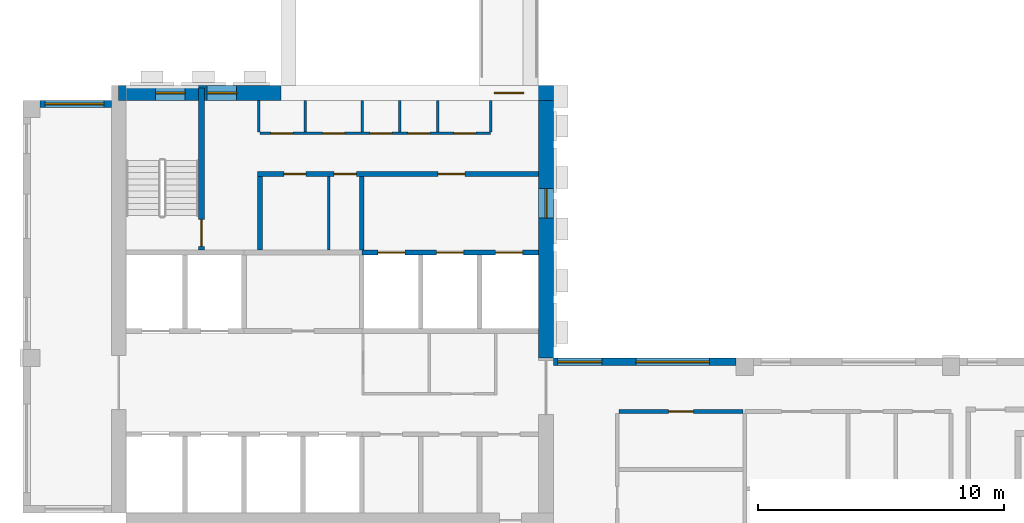
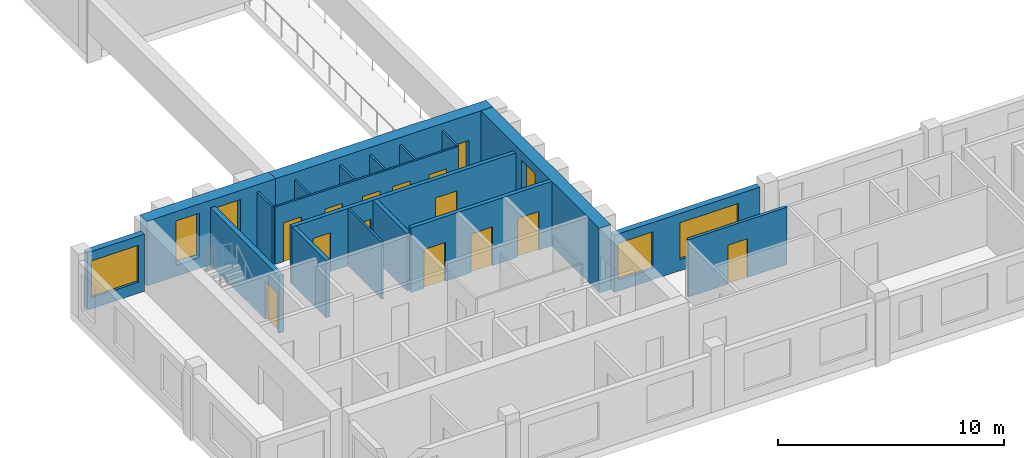
# One storey, part 3 of 9: 19 walls, 14 doors, 6 windows, 20 openings.
"""IFC4 building model written with IfcOpenShell, lengths in metres."""

from ifc_helpers import new_model, si_unit, direction, frame, frame_2d, origin, place, context, subcontext, project, spatial, rectangle, extrude, source, transform, mapped, material, layer, layer_set, type_object, element, fill, save


model = new_model("IFC4")

# Units and contexts
model_context = context("Model", 3, precision=1e-05, world=origin(), true_north=direction((0.0, 1.0)))
body_context = subcontext(model_context, "Body", "Model", "MODEL_VIEW")
ifc_project = project(units=[si_unit("LENGTHUNIT", "METRE"), si_unit("AREAUNIT", "SQUARE_METRE"), si_unit("VOLUMEUNIT", "CUBIC_METRE"), si_unit("PLANEANGLEUNIT", "RADIAN"), si_unit("MASSUNIT", "GRAM", prefix="KILO")], contexts=[model_context])

# Site, building, storey
site_placement = place(None, origin())
site = spatial("IfcSite", under=ifc_project, at=site_placement, CompositionType="ELEMENT")
building_placement = place(site_placement, origin())
building = spatial("IfcBuilding", under=site, at=building_placement, Name="Aurelian Terraces", CompositionType="ELEMENT")
storey_placement = place(building_placement, frame((0.0, 0.0, 323.0)))
storey = spatial("IfcBuildingStorey", under=building, at=storey_placement, Name="L75", CompositionType="ELEMENT", Elevation=323.0)

# Wall, opening, door
ifc_material_1 = material(Name="Concrete fc' 55 MPa", Category="concrete")
ifc_layer_1 = layer(ifc_material_1, 0.6)
ifc_layer_set_1 = layer_set([ifc_layer_1], Name="CORE WALL 600 FC55")
wall_type_1 = type_object("IfcWallType", Name="CORE WALL 600 FC55", PredefinedType="SHEAR", material=ifc_layer_set_1)
shared_shape_1 = source(origin(), body_context, "Body", "SweptSolid", [
    extrude(rectangle(XDim=11.1, YDim=0.6, at=frame_2d((5.55, 0.0))), origin(), (0.0, 0.0, 1.0), 3.5),
])
wall_1_placement = place(storey_placement, frame((10.5, 21.3, 0.0), z_axis=(0.0, 0.0, 1.0), x_axis=(1.0, 0.0, 0.0)))
wall_1 = element("IfcWall", 1, at=wall_1_placement, inside=storey, type_object=wall_type_1, Name="Core wall N L75", PredefinedType="SHEAR", context=body_context, shape_type="MappedRepresentation", body=[
    mapped(shared_shape_1, transform((0.0, 0.0, 0.0), scale=1.0)),
])
shared_shape_2 = source(origin(), body_context, "Body", "SweptSolid", [
    extrude(rectangle(XDim=1.2, YDim=2.1, at=frame_2d((0.6, 1.05))), frame((0.0, 0.31, 0.0), z_axis=(0.0, -1.0, 0.0), x_axis=(1.0, 0.0, 0.0)), (0.0, 0.0, 1.0), 0.62),
])
opening_1_placement = place(wall_1_placement, frame((8.7, 0.0, 0.0)))
opening_1 = element("IfcOpeningElement", 2, at=opening_1_placement, cuts=wall_1, Name="Opening 67832", PredefinedType="OPENING", context=body_context, shape_type="MappedRepresentation", body=[
    mapped(shared_shape_2, transform((0.0, 0.0, 0.0), scale=1.0)),
])
ifc_material_2 = material(Name="Steel door leaf", Category="steel")
door_type_1 = type_object("IfcDoorType", Name="Core fire door 1200x2100", OperationType="SINGLE_SWING_LEFT", PredefinedType="DOOR", material=ifc_material_2)
shared_shape_3 = source(origin(), body_context, "Body", "SweptSolid", [
    extrude(rectangle(XDim=1.2, YDim=2.1, at=frame_2d((0.6, 1.05))), frame((0.0, 0.025, 0.0), z_axis=(0.0, -1.0, 0.0), x_axis=(1.0, 0.0, 0.0)), (0.0, 0.0, 1.0), 0.05),
])
door_1_placement = place(opening_1_placement, origin())
door_1 = element("IfcDoor", 3, at=door_1_placement, inside=storey, type_object=door_type_1, Name="Core door 67832", OperationType="SINGLE_SWING_LEFT", OverallHeight=2.1, OverallWidth=1.2, PredefinedType="DOOR", context=body_context, shape_type="MappedRepresentation", body=[
    mapped(shared_shape_3, transform((0.0, 0.0, 0.0), scale=1.0)),
])
fill(opening_1, door_1)

# Wall, opening, window
shared_shape_4 = source(origin(), body_context, "Body", "SweptSolid", [
    extrude(rectangle(XDim=10.5, YDim=0.6, at=frame_2d((5.25, 0.0))), origin(), (0.0, 0.0, 1.0), 3.5),
])
wall_2_placement = place(storey_placement, frame((21.3, 10.5, 0.0), z_axis=(0.0, 0.0, 1.0), x_axis=(0.0, 1.0, 0.0)))
wall_2 = element("IfcWall", 4, at=wall_2_placement, inside=storey, type_object=wall_type_1, Name="Core wall E L75 exposed", PredefinedType="SHEAR", context=body_context, shape_type="MappedRepresentation", body=[
    mapped(shared_shape_4, transform((0.0, 0.0, 0.0), scale=1.0)),
])
shared_shape_5 = source(origin(), body_context, "Body", "SweptSolid", [
    extrude(rectangle(XDim=1.2, YDim=2.4, at=frame_2d((0.6, 1.2))), frame((0.0, 0.31, 0.0), z_axis=(0.0, -1.0, 0.0), x_axis=(1.0, 0.0, 0.0)), (0.0, 0.0, 1.0), 0.62),
])
opening_2_placement = place(wall_2_placement, frame((5.7, 0.0, 0.6)))
opening_2 = element("IfcOpeningElement", 5, at=opening_2_placement, cuts=wall_2, Name="Opening W-CL", PredefinedType="OPENING", context=body_context, shape_type="MappedRepresentation", body=[
    mapped(shared_shape_5, transform((0.0, 0.0, 0.0), scale=1.0)),
])
ifc_material_3 = material(Name="Fire-resisting glazing", Category="glass")
window_type_1 = type_object("IfcWindowType", Name="Core lobby window 1200x2400", PartitioningType="SINGLE_PANEL", PredefinedType="WINDOW", material=ifc_material_3)
shared_shape_6 = source(origin(), body_context, "Body", "SweptSolid", [
    extrude(rectangle(XDim=1.2, YDim=2.4, at=frame_2d((0.6, 1.2))), frame((0.0, 0.03, 0.0), z_axis=(0.0, -1.0, 0.0), x_axis=(1.0, 0.0, 0.0)), (0.0, 0.0, 1.0), 0.06),
])
window_1_placement = place(opening_2_placement, origin())
window_1 = element("IfcWindow", 6, at=window_1_placement, inside=storey, type_object=window_type_1, Name="Lobby window L75 E34", OverallHeight=2.4, OverallWidth=1.2, PartitioningType="SINGLE_PANEL", PredefinedType="WINDOW", context=body_context, shape_type="MappedRepresentation", body=[
    mapped(shared_shape_6, transform((0.0, 0.0, 0.0), scale=1.0)),
])
fill(opening_2, window_1)

# Wall, openings, windows
shared_shape_7 = source(origin(), body_context, "Body", "SweptSolid", [
    extrude(rectangle(XDim=6.6, YDim=0.6, at=frame_2d((3.3, 0.0))), origin(), (0.0, 0.0, 1.0), 3.5),
])
wall_3_placement = place(storey_placement, frame((3.9, 21.3, 0.0), z_axis=(0.0, 0.0, 1.0), x_axis=(1.0, 0.0, 0.0)))
wall_3 = element("IfcWall", 7, at=wall_3_placement, inside=storey, type_object=wall_type_1, Name="Core wall N L75 exposed", PredefinedType="SHEAR", context=body_context, shape_type="MappedRepresentation", body=[
    mapped(shared_shape_7, transform((0.0, 0.0, 0.0), scale=1.0)),
])
opening_3_placement = place(wall_3_placement, frame((1.5, 0.0, 0.6)))
opening_3 = element("IfcOpeningElement", 8, at=opening_3_placement, cuts=wall_3, Name="Opening W-CL", PredefinedType="OPENING", context=body_context, shape_type="MappedRepresentation", body=[
    mapped(shared_shape_5, transform((0.0, 0.0, 0.0), scale=1.0)),
])
opening_4_placement = place(wall_3_placement, frame((3.6, 0.0, 0.6)))
opening_4 = element("IfcOpeningElement", 9, at=opening_4_placement, cuts=wall_3, Name="Opening W-CL", PredefinedType="OPENING", context=body_context, shape_type="MappedRepresentation", body=[
    mapped(shared_shape_5, transform((0.0, 0.0, 0.0), scale=1.0)),
])
window_2_placement = place(opening_3_placement, origin())
window_2 = element("IfcWindow", 10, at=window_2_placement, inside=storey, type_object=window_type_1, Name="Lobby window L75 N35", OverallHeight=2.4, OverallWidth=1.2, PartitioningType="SINGLE_PANEL", PredefinedType="WINDOW", context=body_context, shape_type="MappedRepresentation", body=[
    mapped(shared_shape_6, transform((0.0, 0.0, 0.0), scale=1.0)),
])
fill(opening_3, window_2)
window_3_placement = place(opening_4_placement, origin())
window_3 = element("IfcWindow", 11, at=window_3_placement, inside=storey, type_object=window_type_1, Name="Lobby window L75 N36", OverallHeight=2.4, OverallWidth=1.2, PartitioningType="SINGLE_PANEL", PredefinedType="WINDOW", context=body_context, shape_type="MappedRepresentation", body=[
    mapped(shared_shape_6, transform((0.0, 0.0, 0.0), scale=1.0)),
])
fill(opening_4, window_3)

ifc_material_4 = material(Name="Terracotta rainscreen cladding", Category="masonry")
ifc_layer_2 = layer(ifc_material_4, 0.3)
ifc_layer_set_2 = layer_set([ifc_layer_2], Name="EW-300")
wall_type_2 = type_object("IfcWallType", Name="EW-300", PredefinedType="STANDARD", material=ifc_layer_set_2)
shared_shape_8 = source(origin(), body_context, "Body", "SweptSolid", [
    extrude(rectangle(XDim=7.45, YDim=0.3, at=frame_2d((3.725, 0.0))), origin(), (0.0, 0.0, 1.0), 3.1),
])
wall_4_placement = place(storey_placement, frame((29.05, 10.35, 0.0), z_axis=(0.0, 0.0, 1.0), x_axis=(-1.0, 0.0, 0.0)))
wall_4 = element("IfcWall", 12, at=wall_4_placement, inside=storey, type_object=wall_type_2, Name="External wall L75 F03.8", PredefinedType="STANDARD", context=body_context, shape_type="MappedRepresentation", body=[
    mapped(shared_shape_8, transform((0.0, 0.0, 0.0), scale=1.0)),
])
shared_shape_9 = source(origin(), body_context, "Body", "SweptSolid", [
    extrude(rectangle(XDim=3.0, YDim=2.0, at=frame_2d((1.5, 1.0))), frame((0.0, 0.16, 0.0), z_axis=(0.0, -1.0, 0.0), x_axis=(1.0, 0.0, 0.0)), (0.0, 0.0, 1.0), 0.32),
])
opening_5_placement = place(wall_4_placement, frame((1.09, 0.0, 0.6)))
opening_5 = element("IfcOpeningElement", 13, at=opening_5_placement, cuts=wall_4, Name="Opening W3020", PredefinedType="OPENING", context=body_context, shape_type="MappedRepresentation", body=[
    mapped(shared_shape_9, transform((0.0, 0.0, 0.0), scale=1.0)),
])
shared_shape_10 = source(origin(), body_context, "Body", "SweptSolid", [
    extrude(rectangle(XDim=1.8, YDim=2.0, at=frame_2d((0.9, 1.0))), frame((0.0, 0.16, 0.0), z_axis=(0.0, -1.0, 0.0), x_axis=(1.0, 0.0, 0.0)), (0.0, 0.0, 1.0), 0.32),
])
opening_6_placement = place(wall_4_placement, frame((5.47, 0.0, 0.6)))
opening_6 = element("IfcOpeningElement", 14, at=opening_6_placement, cuts=wall_4, Name="Opening W1820", PredefinedType="OPENING", context=body_context, shape_type="MappedRepresentation", body=[
    mapped(shared_shape_10, transform((0.0, 0.0, 0.0), scale=1.0)),
])
ifc_material_5 = material(Name="Clear glazing", Category="glass")
window_type_2 = type_object("IfcWindowType", Name="W-3000x2000", PartitioningType="SINGLE_PANEL", PredefinedType="WINDOW", material=ifc_material_5)
shared_shape_11 = source(origin(), body_context, "Body", "SweptSolid", [
    extrude(rectangle(XDim=3.0, YDim=2.0, at=frame_2d((1.5, 1.0))), frame((0.0, 0.03, 0.0), z_axis=(0.0, -1.0, 0.0), x_axis=(1.0, 0.0, 0.0)), (0.0, 0.0, 1.0), 0.06),
])
window_4_placement = place(opening_5_placement, origin())
window_4 = element("IfcWindow", 15, at=window_4_placement, inside=storey, type_object=window_type_2, Name="Window L75 L75-F03-08-5", OverallHeight=2.0, OverallWidth=3.0, PartitioningType="SINGLE_PANEL", PredefinedType="WINDOW", context=body_context, shape_type="MappedRepresentation", body=[
    mapped(shared_shape_11, transform((0.0, 0.0, 0.0), scale=1.0)),
])
fill(opening_5, window_4)
window_type_3 = type_object("IfcWindowType", Name="W-1800x2000", PartitioningType="SINGLE_PANEL", PredefinedType="WINDOW", material=ifc_material_5)
shared_shape_12 = source(origin(), body_context, "Body", "SweptSolid", [
    extrude(rectangle(XDim=1.8, YDim=2.0, at=frame_2d((0.9, 1.0))), frame((0.0, 0.03, 0.0), z_axis=(0.0, -1.0, 0.0), x_axis=(1.0, 0.0, 0.0)), (0.0, 0.0, 1.0), 0.06),
])
window_5_placement = place(opening_6_placement, origin())
window_5 = element("IfcWindow", 16, at=window_5_placement, inside=storey, type_object=window_type_3, Name="Window L75 L75-F03-08-6", OverallHeight=2.0, OverallWidth=1.8, PartitioningType="SINGLE_PANEL", PredefinedType="WINDOW", context=body_context, shape_type="MappedRepresentation", body=[
    mapped(shared_shape_12, transform((0.0, 0.0, 0.0), scale=1.0)),
])
fill(opening_6, window_5)

# Wall, opening, window
shared_shape_13 = source(origin(), body_context, "Body", "SweptSolid", [
    extrude(rectangle(XDim=2.9, YDim=0.3, at=frame_2d((1.45, 0.0))), origin(), (0.0, 0.0, 1.0), 3.1),
])
wall_5_placement = place(storey_placement, frame((3.6, 20.85, 0.0), z_axis=(0.0, 0.0, 1.0), x_axis=(-1.0, 0.0, 0.0)))
wall_5 = element("IfcWall", 17, at=wall_5_placement, inside=storey, type_object=wall_type_2, Name="External wall L75 F11.17", PredefinedType="STANDARD", context=body_context, shape_type="MappedRepresentation", body=[
    mapped(shared_shape_13, transform((0.0, 0.0, 0.0), scale=1.0)),
])
shared_shape_14 = source(origin(), body_context, "Body", "SweptSolid", [
    extrude(rectangle(XDim=2.4, YDim=2.0, at=frame_2d((1.2, 1.0))), frame((0.0, 0.16, 0.0), z_axis=(0.0, -1.0, 0.0), x_axis=(1.0, 0.0, 0.0)), (0.0, 0.0, 1.0), 0.32),
])
opening_7_placement = place(wall_5_placement, frame((0.3, 0.0, 0.6)))
opening_7 = element("IfcOpeningElement", 18, at=opening_7_placement, cuts=wall_5, Name="Opening W2420", PredefinedType="OPENING", context=body_context, shape_type="MappedRepresentation", body=[
    mapped(shared_shape_14, transform((0.0, 0.0, 0.0), scale=1.0)),
])
window_type_4 = type_object("IfcWindowType", Name="W-2400x2000", PartitioningType="SINGLE_PANEL", PredefinedType="WINDOW", material=ifc_material_5)
shared_shape_15 = source(origin(), body_context, "Body", "SweptSolid", [
    extrude(rectangle(XDim=2.4, YDim=2.0, at=frame_2d((1.2, 1.0))), frame((0.0, 0.03, 0.0), z_axis=(0.0, -1.0, 0.0), x_axis=(1.0, 0.0, 0.0)), (0.0, 0.0, 1.0), 0.06),
])
window_6_placement = place(opening_7_placement, origin())
window_6 = element("IfcWindow", 19, at=window_6_placement, inside=storey, type_object=window_type_4, Name="Window L75 L75-F11-17-0", OverallHeight=2.0, OverallWidth=2.4, PartitioningType="SINGLE_PANEL", PredefinedType="WINDOW", context=body_context, shape_type="MappedRepresentation", body=[
    mapped(shared_shape_15, transform((0.0, 0.0, 0.0), scale=1.0)),
])
fill(opening_7, window_6)

# Wall, openings, doors
ifc_material_6 = material(Name="Concrete fc' 40 MPa", Category="concrete")
ifc_layer_3 = layer(ifc_material_6, 0.2)
ifc_layer_set_3 = layer_set([ifc_layer_3], Name="Lift shaft wall 200")
wall_type_3 = type_object("IfcWallType", Name="Lift shaft wall 200", PredefinedType="SOLIDWALL", material=ifc_layer_set_3)
shared_shape_16 = source(origin(), body_context, "Body", "SweptSolid", [
    extrude(rectangle(XDim=7.2, YDim=0.2, at=frame_2d((3.6, 0.0))), origin(), (0.0, 0.0, 1.0), 3.5),
])
wall_6_placement = place(storey_placement, frame((13.8, 14.8, 0.0), z_axis=(0.0, 0.0, 1.0), x_axis=(1.0, 0.0, 0.0)))
wall_6 = element("IfcWall", 20, at=wall_6_placement, inside=storey, type_object=wall_type_3, Name="L75 core wall CF-BB3", PredefinedType="SOLIDWALL", context=body_context, shape_type="MappedRepresentation", body=[
    mapped(shared_shape_16, transform((0.0, 0.0, 0.0), scale=1.0)),
])
shared_shape_17 = source(origin(), body_context, "Body", "SweptSolid", [
    extrude(rectangle(XDim=1.1, YDim=2.1, at=frame_2d((0.55, 1.05))), frame((0.0, 0.11, 0.0), z_axis=(0.0, -1.0, 0.0), x_axis=(1.0, 0.0, 0.0)), (0.0, 0.0, 1.0), 0.22),
])
opening_8_placement = place(wall_6_placement, frame((0.65, 0.0, 0.0)))
opening_8 = element("IfcOpeningElement", 21, at=opening_8_placement, cuts=wall_6, Name="Opening 67810", PredefinedType="OPENING", context=body_context, shape_type="MappedRepresentation", body=[
    mapped(shared_shape_17, transform((0.0, 0.0, 0.0), scale=1.0)),
])
opening_9_placement = place(wall_6_placement, frame((3.05, 0.0, 0.0)))
opening_9 = element("IfcOpeningElement", 22, at=opening_9_placement, cuts=wall_6, Name="Opening 67811", PredefinedType="OPENING", context=body_context, shape_type="MappedRepresentation", body=[
    mapped(shared_shape_17, transform((0.0, 0.0, 0.0), scale=1.0)),
])
opening_10_placement = place(wall_6_placement, frame((5.45, 0.0, 0.0)))
opening_10 = element("IfcOpeningElement", 23, at=opening_10_placement, cuts=wall_6, Name="Opening 67812", PredefinedType="OPENING", context=body_context, shape_type="MappedRepresentation", body=[
    mapped(shared_shape_17, transform((0.0, 0.0, 0.0), scale=1.0)),
])
ifc_material_7 = material(Name="Stainless steel", Category="steel")
door_type_2 = type_object("IfcDoorType", Name="Lift landing door 1100x2100", OperationType="SLIDING_TO_LEFT", PredefinedType="DOOR", material=ifc_material_7)
shared_shape_18 = source(origin(), body_context, "Body", "SweptSolid", [
    extrude(rectangle(XDim=1.1, YDim=2.1, at=frame_2d((0.55, 1.05))), frame((0.0, 0.025, 0.0), z_axis=(0.0, -1.0, 0.0), x_axis=(1.0, 0.0, 0.0)), (0.0, 0.0, 1.0), 0.05),
])
door_2_placement = place(opening_8_placement, origin())
door_2 = element("IfcDoor", 24, at=door_2_placement, inside=storey, type_object=door_type_2, Name="Lift landing door F1 L75", OperationType="SLIDING_TO_LEFT", OverallHeight=2.1, OverallWidth=1.1, PredefinedType="DOOR", context=body_context, shape_type="MappedRepresentation", body=[
    mapped(shared_shape_18, transform((0.0, 0.0, 0.0), scale=1.0)),
])
fill(opening_8, door_2)
door_3_placement = place(opening_9_placement, origin())
door_3 = element("IfcDoor", 25, at=door_3_placement, inside=storey, type_object=door_type_2, Name="Lift landing door F2 L75", OperationType="SLIDING_TO_LEFT", OverallHeight=2.1, OverallWidth=1.1, PredefinedType="DOOR", context=body_context, shape_type="MappedRepresentation", body=[
    mapped(shared_shape_18, transform((0.0, 0.0, 0.0), scale=1.0)),
])
fill(opening_9, door_3)
door_4_placement = place(opening_10_placement, origin())
door_4 = element("IfcDoor", 26, at=door_4_placement, inside=storey, type_object=door_type_2, Name="Lift landing door F3 L75", OperationType="SLIDING_TO_LEFT", OverallHeight=2.1, OverallWidth=1.1, PredefinedType="DOOR", context=body_context, shape_type="MappedRepresentation", body=[
    mapped(shared_shape_18, transform((0.0, 0.0, 0.0), scale=1.0)),
])
fill(opening_10, door_4)

# Walls
ifc_material_8 = material(Name="Gypsum board on steel studs", Category="steel")
ifc_layer_4 = layer(ifc_material_8, 0.2)
ifc_layer_set_4 = layer_set([ifc_layer_4], Name="Core partition 200")
wall_type_4 = type_object("IfcWallType", Name="Core partition 200", PredefinedType="PARTITIONING", material=ifc_layer_set_4)
shared_shape_19 = source(origin(), body_context, "Body", "SweptSolid", [
    extrude(rectangle(XDim=3.0, YDim=0.2, at=frame_2d((1.5, 0.0))), origin(), (0.0, 0.0, 1.0), 3.1),
])
for number, where, z_axis, x_axis, name in (
    (27, (9.65, 14.9, 0.0), (0.0, 0.0, 1.0), (0.0, 1.0, 0.0), "L75 core wall CP-VEST"),
    (28, (13.8, 14.9, 0.0), (0.0, 0.0, 1.0), (0.0, 1.0, 0.0), "L75 core wall CP-FFL"),
):
    element("IfcWall", number, at=place(storey_placement, frame(where, z_axis=z_axis, x_axis=x_axis)), inside=storey, type_object=wall_type_4, Name=name, PredefinedType="PARTITIONING", context=body_context, shape_type="MappedRepresentation", body=[
        mapped(shared_shape_19, transform((0.0, 0.0, 0.0), scale=1.0)),
    ])

# Wall, opening, door
ifc_layer_5 = layer(ifc_material_6, 0.25)
ifc_layer_set_5 = layer_set([ifc_layer_5], Name="Stair enclosure wall 250")
wall_type_5 = type_object("IfcWallType", Name="Stair enclosure wall 250", PredefinedType="SOLIDWALL", material=ifc_layer_set_5)
shared_shape_20 = source(origin(), body_context, "Body", "SweptSolid", [
    extrude(rectangle(XDim=6.6, YDim=0.25, at=frame_2d((3.3, 0.0))), origin(), (0.0, 0.0, 1.0), 3.1),
])
wall_7_placement = place(storey_placement, frame((7.275, 14.9, 0.0), z_axis=(0.0, 0.0, 1.0), x_axis=(0.0, 1.0, 0.0)))
wall_7 = element("IfcWall", 29, at=wall_7_placement, inside=storey, type_object=wall_type_5, Name="L75 core wall ST-S1-E", PredefinedType="SOLIDWALL", context=body_context, shape_type="MappedRepresentation", body=[
    mapped(shared_shape_20, transform((0.0, 0.0, 0.0), scale=1.0)),
])
shared_shape_21 = source(origin(), body_context, "Body", "SweptSolid", [
    extrude(rectangle(XDim=1.1, YDim=2.1, at=frame_2d((0.55, 1.05))), frame((0.0, 0.135, 0.0), z_axis=(0.0, -1.0, 0.0), x_axis=(1.0, 0.0, 0.0)), (0.0, 0.0, 1.0), 0.27),
])
opening_11_placement = place(wall_7_placement, frame((0.15, 0.0, 0.0)))
opening_11 = element("IfcOpeningElement", 30, at=opening_11_placement, cuts=wall_7, Name="Opening 67813", PredefinedType="OPENING", context=body_context, shape_type="MappedRepresentation", body=[
    mapped(shared_shape_21, transform((0.0, 0.0, 0.0), scale=1.0)),
])
door_type_3 = type_object("IfcDoorType", Name="Core fire door 1100x2100 right", OperationType="SINGLE_SWING_RIGHT", PredefinedType="DOOR", material=ifc_material_2)
door_5_placement = place(opening_11_placement, origin())
door_5 = element("IfcDoor", 31, at=door_5_placement, inside=storey, type_object=door_type_3, Name="Stair door 67813", OperationType="SINGLE_SWING_RIGHT", OverallHeight=2.1, OverallWidth=1.1, PredefinedType="DOOR", context=body_context, shape_type="MappedRepresentation", body=[
    mapped(shared_shape_18, transform((0.0, 0.0, 0.0), scale=1.0)),
])
fill(opening_11, door_5)

# Wall, openings, doors
shared_shape_22 = source(origin(), body_context, "Body", "SweptSolid", [
    extrude(rectangle(XDim=11.45, YDim=0.2, at=frame_2d((5.725, 0.0))), origin(), (0.0, 0.0, 1.0), 3.1),
])
wall_8_placement = place(storey_placement, frame((9.55, 18.0, 0.0), z_axis=(0.0, 0.0, 1.0), x_axis=(1.0, 0.0, 0.0)))
wall_8 = element("IfcWall", 32, at=wall_8_placement, inside=storey, type_object=wall_type_4, Name="L75 core wall CP-NORTH", PredefinedType="PARTITIONING", context=body_context, shape_type="MappedRepresentation", body=[
    mapped(shared_shape_22, transform((0.0, 0.0, 0.0), scale=1.0)),
])
shared_shape_23 = source(origin(), body_context, "Body", "SweptSolid", [
    extrude(rectangle(XDim=0.9, YDim=2.1, at=frame_2d((0.45, 1.05))), frame((0.0, 0.11, 0.0), z_axis=(0.0, -1.0, 0.0), x_axis=(1.0, 0.0, 0.0)), (0.0, 0.0, 1.0), 0.22),
])
opening_12_placement = place(wall_8_placement, frame((1.075, 0.0, 0.0)))
opening_12 = element("IfcOpeningElement", 33, at=opening_12_placement, cuts=wall_8, Name="Opening 67814", PredefinedType="OPENING", context=body_context, shape_type="MappedRepresentation", body=[
    mapped(shared_shape_23, transform((0.0, 0.0, 0.0), scale=1.0)),
])
opening_13_placement = place(wall_8_placement, frame((3.125, 0.0, 0.0)))
opening_13 = element("IfcOpeningElement", 34, at=opening_13_placement, cuts=wall_8, Name="Opening 67815", PredefinedType="OPENING", context=body_context, shape_type="MappedRepresentation", body=[
    mapped(shared_shape_23, transform((0.0, 0.0, 0.0), scale=1.0)),
])
opening_14_placement = place(wall_8_placement, frame((7.35, 0.0, 0.0)))
opening_14 = element("IfcOpeningElement", 35, at=opening_14_placement, cuts=wall_8, Name="Opening 67816", PredefinedType="OPENING", context=body_context, shape_type="MappedRepresentation", body=[
    mapped(shared_shape_17, transform((0.0, 0.0, 0.0), scale=1.0)),
])
door_type_4 = type_object("IfcDoorType", Name="Core service door 900x2100", OperationType="SINGLE_SWING_LEFT", PredefinedType="DOOR", material=ifc_material_2)
shared_shape_24 = source(origin(), body_context, "Body", "SweptSolid", [
    extrude(rectangle(XDim=0.9, YDim=2.1, at=frame_2d((0.45, 1.05))), frame((0.0, 0.025, 0.0), z_axis=(0.0, -1.0, 0.0), x_axis=(1.0, 0.0, 0.0)), (0.0, 0.0, 1.0), 0.05),
])
door_6_placement = place(opening_12_placement, origin())
door_6 = element("IfcDoor", 36, at=door_6_placement, inside=storey, type_object=door_type_4, Name="Room door 67814", OperationType="SINGLE_SWING_LEFT", OverallHeight=2.1, OverallWidth=0.9, PredefinedType="DOOR", context=body_context, shape_type="MappedRepresentation", body=[
    mapped(shared_shape_24, transform((0.0, 0.0, 0.0), scale=1.0)),
])
fill(opening_12, door_6)
door_type_5 = type_object("IfcDoorType", Name="Core riser door 900x2100 right", OperationType="SINGLE_SWING_RIGHT", PredefinedType="DOOR", material=ifc_material_2)
door_7_placement = place(opening_13_placement, origin())
door_7 = element("IfcDoor", 37, at=door_7_placement, inside=storey, type_object=door_type_5, Name="Room door 67815", OperationType="SINGLE_SWING_RIGHT", OverallHeight=2.1, OverallWidth=0.9, PredefinedType="DOOR", context=body_context, shape_type="MappedRepresentation", body=[
    mapped(shared_shape_24, transform((0.0, 0.0, 0.0), scale=1.0)),
])
fill(opening_13, door_7)
door_type_6 = type_object("IfcDoorType", Name="Core fire door 1100x2100", OperationType="SINGLE_SWING_LEFT", PredefinedType="DOOR", material=ifc_material_2)
door_8_placement = place(opening_14_placement, origin())
door_8 = element("IfcDoor", 38, at=door_8_placement, inside=storey, type_object=door_type_6, Name="Ff lobby door 67816", OperationType="SINGLE_SWING_LEFT", OverallHeight=2.1, OverallWidth=1.1, PredefinedType="DOOR", context=body_context, shape_type="MappedRepresentation", body=[
    mapped(shared_shape_18, transform((0.0, 0.0, 0.0), scale=1.0)),
])
fill(opening_14, door_8)

# Walls
ifc_layer_6 = layer(ifc_material_8, 0.1)
ifc_layer_set_6 = layer_set([ifc_layer_6], Name="Core partition 100")
wall_type_6 = type_object("IfcWallType", Name="Core partition 100", PredefinedType="PARTITIONING", material=ifc_layer_set_6)
shared_shape_25 = source(origin(), body_context, "Body", "SweptSolid", [
    extrude(rectangle(XDim=3.0, YDim=0.1, at=frame_2d((1.5, 0.0))), origin(), (0.0, 0.0, 1.0), 3.1),
])
wall_9_placement = place(storey_placement, frame((12.45, 14.9, 0.0), z_axis=(0.0, 0.0, 1.0), x_axis=(0.0, 1.0, 0.0)))
element("IfcWall", 39, at=wall_9_placement, inside=storey, type_object=wall_type_6, Name="L75 core wall CP-SV1", PredefinedType="PARTITIONING", context=body_context, shape_type="MappedRepresentation", body=[
    mapped(shared_shape_25, transform((0.0, 0.0, 0.0), scale=1.0)),
])
shared_shape_26 = source(origin(), body_context, "Body", "SweptSolid", [
    extrude(rectangle(XDim=1.3, YDim=0.1, at=frame_2d((0.65, 0.0))), origin(), (0.0, 0.0, 1.0), 3.1),
])
for number, where, z_axis, x_axis, name in (
    (40, (11.4992, 19.7, 0.0), (0.0, 0.0, 1.0), (0.0, 1.0, 0.0), "L75 core wall SV-NP1"),
    (41, (13.8107, 19.7, 0.0), (0.0, 0.0, 1.0), (0.0, 1.0, 0.0), "L75 core wall SV-NP2"),
    (42, (15.3516, 19.7, 0.0), (0.0, 0.0, 1.0), (0.0, 1.0, 0.0), "L75 core wall SV-NP3"),
    (43, (16.8926, 19.7, 0.0), (0.0, 0.0, 1.0), (0.0, 1.0, 0.0), "L75 core wall SV-NP4"),
    (44, (9.6, 19.7, 0.0), (0.0, 0.0, 1.0), (0.0, 1.0, 0.0), "L75 core wall SV-NW0"),
    (45, (19.05, 19.7, 0.0), (0.0, 0.0, 1.0), (0.0, 1.0, 0.0), "L75 core wall SV-NW1"),
):
    element("IfcWall", number, at=place(storey_placement, frame(where, z_axis=z_axis, x_axis=x_axis)), inside=storey, type_object=wall_type_6, Name=name, PredefinedType="PARTITIONING", context=body_context, shape_type="MappedRepresentation", body=[
        mapped(shared_shape_26, transform((0.0, 0.0, 0.0), scale=1.0)),
    ])

# Wall, openings, doors
shared_shape_27 = source(origin(), body_context, "Body", "SweptSolid", [
    extrude(rectangle(XDim=9.4, YDim=0.1, at=frame_2d((4.7, 0.0))), origin(), (0.0, 0.0, 1.0), 3.1),
])
wall_10_placement = place(storey_placement, frame((9.65, 19.65, 0.0), z_axis=(0.0, 0.0, 1.0), x_axis=(1.0, 0.0, 0.0)))
wall_10 = element("IfcWall", 46, at=wall_10_placement, inside=storey, type_object=wall_type_6, Name="L75 core wall SV-N1", PredefinedType="PARTITIONING", context=body_context, shape_type="MappedRepresentation", body=[
    mapped(shared_shape_27, transform((0.0, 0.0, 0.0), scale=1.0)),
])
shared_shape_28 = source(origin(), body_context, "Body", "SweptSolid", [
    extrude(rectangle(XDim=0.9, YDim=2.1, at=frame_2d((0.45, 1.05))), frame((0.0, 0.06, 0.0), z_axis=(0.0, -1.0, 0.0), x_axis=(1.0, 0.0, 0.0)), (0.0, 0.0, 1.0), 0.12),
])
opening_15_placement = place(wall_10_placement, frame((0.4496, 0.0, 0.0)))
opening_15 = element("IfcOpeningElement", 47, at=opening_15_placement, cuts=wall_10, Name="Opening 67817", PredefinedType="OPENING", context=body_context, shape_type="MappedRepresentation", body=[
    mapped(shared_shape_28, transform((0.0, 0.0, 0.0), scale=1.0)),
])
opening_16_placement = place(wall_10_placement, frame((2.5549, 0.0, 0.0)))
opening_16 = element("IfcOpeningElement", 48, at=opening_16_placement, cuts=wall_10, Name="Opening 67818", PredefinedType="OPENING", context=body_context, shape_type="MappedRepresentation", body=[
    mapped(shared_shape_28, transform((0.0, 0.0, 0.0), scale=1.0)),
])
opening_17_placement = place(wall_10_placement, frame((4.4812, 0.0, 0.0)))
opening_17 = element("IfcOpeningElement", 49, at=opening_17_placement, cuts=wall_10, Name="Opening 67819", PredefinedType="OPENING", context=body_context, shape_type="MappedRepresentation", body=[
    mapped(shared_shape_28, transform((0.0, 0.0, 0.0), scale=1.0)),
])
opening_18_placement = place(wall_10_placement, frame((6.0221, 0.0, 0.0)))
opening_18 = element("IfcOpeningElement", 50, at=opening_18_placement, cuts=wall_10, Name="Opening 67820", PredefinedType="OPENING", context=body_context, shape_type="MappedRepresentation", body=[
    mapped(shared_shape_28, transform((0.0, 0.0, 0.0), scale=1.0)),
])
opening_19_placement = place(wall_10_placement, frame((7.8963, 0.0, 0.0)))
opening_19 = element("IfcOpeningElement", 51, at=opening_19_placement, cuts=wall_10, Name="Opening 67821", PredefinedType="OPENING", context=body_context, shape_type="MappedRepresentation", body=[
    mapped(shared_shape_28, transform((0.0, 0.0, 0.0), scale=1.0)),
])
door_type_7 = type_object("IfcDoorType", Name="Core service door 900x2100 right", OperationType="SINGLE_SWING_RIGHT", PredefinedType="DOOR", material=ifc_material_2)
door_9_placement = place(opening_15_placement, origin())
door_9 = element("IfcDoor", 52, at=door_9_placement, inside=storey, type_object=door_type_7, Name="Room door 67817", OperationType="SINGLE_SWING_RIGHT", OverallHeight=2.1, OverallWidth=0.9, PredefinedType="DOOR", context=body_context, shape_type="MappedRepresentation", body=[
    mapped(shared_shape_24, transform((0.0, 0.0, 0.0), scale=1.0)),
])
fill(opening_15, door_9)
door_10_placement = place(opening_16_placement, origin())
door_10 = element("IfcDoor", 53, at=door_10_placement, inside=storey, type_object=door_type_4, Name="Room door 67818", OperationType="SINGLE_SWING_LEFT", OverallHeight=2.1, OverallWidth=0.9, PredefinedType="DOOR", context=body_context, shape_type="MappedRepresentation", body=[
    mapped(shared_shape_24, transform((0.0, 0.0, 0.0), scale=1.0)),
])
fill(opening_16, door_10)
door_11_placement = place(opening_17_placement, origin())
door_11 = element("IfcDoor", 54, at=door_11_placement, inside=storey, type_object=door_type_7, Name="Room door 67819", OperationType="SINGLE_SWING_RIGHT", OverallHeight=2.1, OverallWidth=0.9, PredefinedType="DOOR", context=body_context, shape_type="MappedRepresentation", body=[
    mapped(shared_shape_24, transform((0.0, 0.0, 0.0), scale=1.0)),
])
fill(opening_17, door_11)
door_12_placement = place(opening_18_placement, origin())
door_12 = element("IfcDoor", 55, at=door_12_placement, inside=storey, type_object=door_type_4, Name="Room door 67820", OperationType="SINGLE_SWING_LEFT", OverallHeight=2.1, OverallWidth=0.9, PredefinedType="DOOR", context=body_context, shape_type="MappedRepresentation", body=[
    mapped(shared_shape_24, transform((0.0, 0.0, 0.0), scale=1.0)),
])
fill(opening_18, door_12)
door_13_placement = place(opening_19_placement, origin())
door_13 = element("IfcDoor", 56, at=door_13_placement, inside=storey, type_object=door_type_7, Name="Room door 67821", OperationType="SINGLE_SWING_RIGHT", OverallHeight=2.1, OverallWidth=0.9, PredefinedType="DOOR", context=body_context, shape_type="MappedRepresentation", body=[
    mapped(shared_shape_24, transform((0.0, 0.0, 0.0), scale=1.0)),
])
fill(opening_19, door_13)

# Wall, opening, door
ifc_layer_7 = layer(ifc_material_8, 0.15)
ifc_layer_set_7 = layer_set([ifc_layer_7], Name="Fire partition 150")
wall_type_7 = type_object("IfcWallType", Name="Fire partition 150", PredefinedType="PARTITIONING", material=ifc_layer_set_7)
shared_shape_29 = source(origin(), body_context, "Body", "SweptSolid", [
    extrude(rectangle(XDim=5.05, YDim=0.15, at=frame_2d((2.525, 0.0))), origin(), (0.0, 0.0, 1.0), 3.1),
])
wall_11_placement = place(storey_placement, frame((29.325, 8.325, 0.0), z_axis=(0.0, 0.0, 1.0), x_axis=(-1.0, 0.0, 0.0)))
wall_11 = element("IfcWall", 57, at=wall_11_placement, inside=storey, type_object=wall_type_7, Name="Corridor wall", PredefinedType="PARTITIONING", context=body_context, shape_type="MappedRepresentation", body=[
    mapped(shared_shape_29, transform((0.0, 0.0, 0.0), scale=1.0)),
])
shared_shape_30 = source(origin(), body_context, "Body", "SweptSolid", [
    extrude(rectangle(XDim=1.0, YDim=2.1, at=frame_2d((0.5, 1.05))), frame((0.0, 0.085, 0.0), z_axis=(0.0, -1.0, 0.0), x_axis=(1.0, 0.0, 0.0)), (0.0, 0.0, 1.0), 0.17),
])
opening_20_placement = place(wall_11_placement, frame((2.025, 0.0, 0.0)))
opening_20 = element("IfcOpeningElement", 58, at=opening_20_placement, cuts=wall_11, Name="Opening 775001", PredefinedType="OPENING", context=body_context, shape_type="MappedRepresentation", body=[
    mapped(shared_shape_30, transform((0.0, 0.0, 0.0), scale=1.0)),
])
door_type_8 = type_object("IfcDoorType", Name="Entrance fire door 1000x2100 right", OperationType="SINGLE_SWING_RIGHT", PredefinedType="DOOR", material=ifc_material_2)
shared_shape_31 = source(origin(), body_context, "Body", "SweptSolid", [
    extrude(rectangle(XDim=1.0, YDim=2.1, at=frame_2d((0.5, 1.05))), frame((0.0, 0.025, 0.0), z_axis=(0.0, -1.0, 0.0), x_axis=(1.0, 0.0, 0.0)), (0.0, 0.0, 1.0), 0.05),
])
door_14_placement = place(opening_20_placement, origin())
door_14 = element("IfcDoor", 59, at=door_14_placement, inside=storey, type_object=door_type_8, Name="Door 775001", OperationType="SINGLE_SWING_RIGHT", OverallHeight=2.1, OverallWidth=1.0, PredefinedType="DOOR", context=body_context, shape_type="MappedRepresentation", body=[
    mapped(shared_shape_31, transform((0.0, 0.0, 0.0), scale=1.0)),
])
fill(opening_20, door_14)

save(model, "model.ifc")
